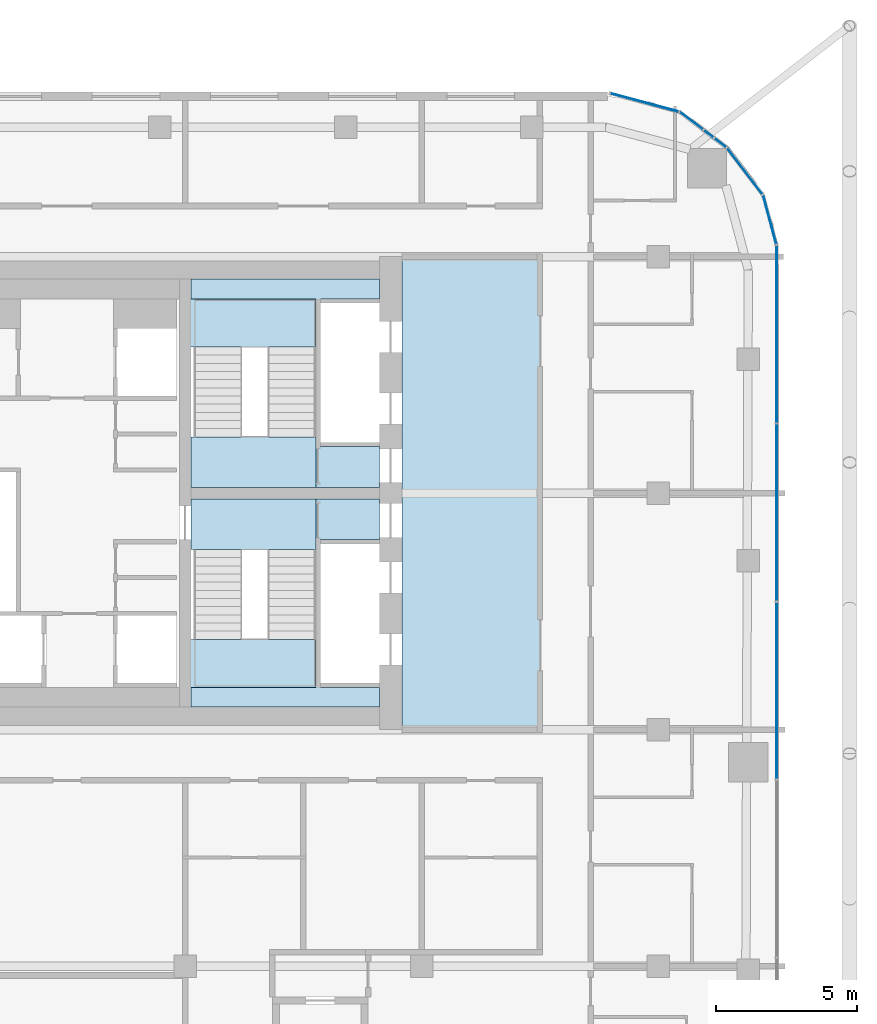
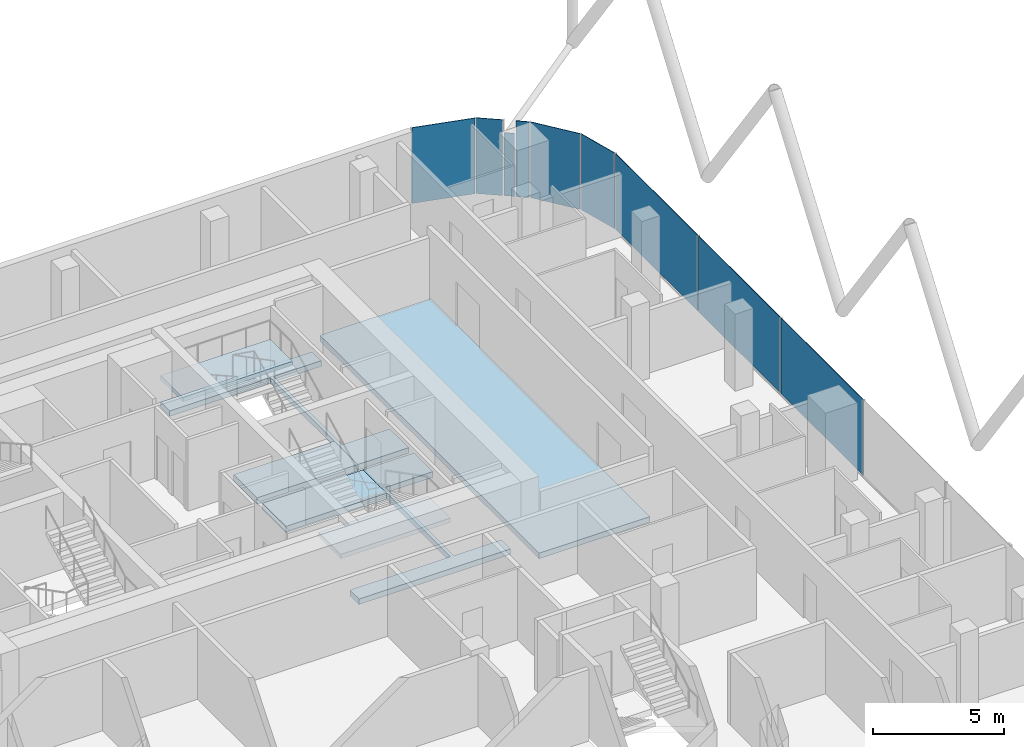
# One storey, part 19 of 28: 9 plates, 7 slabs, 9 elements without a shape of their own.
"""IFC4 building model written with IfcOpenShell, lengths in metres."""

from ifc_helpers import new_model, si_unit, direction, frame, origin, origin_2d, place, context, subcontext, project, spatial, polyline, rectangle, outline, extrude, material, layer, layer_set, type_object, element, aggregate, save


model = new_model("IFC4")

# Units and contexts
model_context = context("Model", 3, precision=1e-05, world=origin(), true_north=direction((0.0, 1.0)))
body_context = subcontext(model_context, "Body", "Model", "MODEL_VIEW")
ifc_project = project(units=[si_unit("LENGTHUNIT", "METRE"), si_unit("AREAUNIT", "SQUARE_METRE"), si_unit("VOLUMEUNIT", "CUBIC_METRE"), si_unit("PLANEANGLEUNIT", "RADIAN"), si_unit("MASSUNIT", "GRAM", prefix="KILO")], contexts=[model_context])

# Site, building, storey
site_placement = place(None, origin())
site = spatial("IfcSite", under=ifc_project, at=site_placement, CompositionType="ELEMENT")
building_placement = place(site_placement, origin())
building = spatial("IfcBuilding", under=site, at=building_placement, Name="Marenta Gate Hotel Tower", CompositionType="ELEMENT")
storey_placement = place(building_placement, frame((0.0, 0.0, 227.300048828125)))
storey = spatial("IfcBuildingStorey", under=building, at=storey_placement, Name="L53", CompositionType="ELEMENT", Elevation=227.300048828125)

# Slabs
ifc_material_1 = material(Name="Concrete C40", Category="concrete")
ifc_layer_1 = layer(ifc_material_1, 0.260009765625)
ifc_layer_set_1 = layer_set([ifc_layer_1], Name="Concrete C40")
slab_type_1 = type_object("IfcSlabType", Name="Core floor slab 260", PredefinedType="FLOOR", material=ifc_layer_set_1)
slab_1_placement = place(storey_placement, frame((0.0, 0.0, -0.260009765625)))
element("IfcSlab", 1, at=slab_1_placement, inside=storey, type_object=slab_type_1, Name="L53-CF-1", PredefinedType="FLOOR", context=body_context, shape_type="SweptSolid", body=[
    extrude(outline(polyline([(11.89990234375, 0.0), (11.89990234375, 16.800048828125), (16.800048828125, 16.800048828125), (16.800048828125, 0.0), (11.89990234375, 0.0)])), origin(), (0.0, 0.0, 1.0), 0.260009765625),
])
slab_2_placement = place(storey_placement, frame((0.0, 0.0, -0.260009765625)))
element("IfcSlab", 2, at=slab_2_placement, inside=storey, type_object=slab_type_1, Name="L53-CF-2", PredefinedType="FLOOR", context=body_context, shape_type="SweptSolid", body=[
    extrude(outline(polyline([(8.85009765625, 1.5), (8.85009765625, 6.39990234375), (8.85009765625, 8.10009765625), (8.85009765625, 8.199951171875), (11.10009765625, 8.199951171875), (11.10009765625, 6.75), (9.0, 6.75), (9.0, 6.60009765625), (9.0, 4.199951171875), (9.0, 4.050048828125), (9.0, 1.64990234375), (9.0, 1.5), (11.10009765625, 1.5), (11.10009765625, 0.800048828125), (4.39990234375, 0.800048828125), (4.39990234375, 1.5), (8.85009765625, 1.5)])), origin(), (0.0, 0.0, 1.0), 0.260009765625),
])
slab_3_placement = place(storey_placement, frame((0.0, 0.0, -0.260009765625)))
element("IfcSlab", 3, at=slab_3_placement, inside=storey, type_object=slab_type_1, Name="L53-CF-3", PredefinedType="FLOOR", context=body_context, shape_type="SweptSolid", body=[
    extrude(outline(polyline([(8.85009765625, 15.300048828125), (4.39990234375, 15.300048828125), (4.39990234375, 16.0), (11.10009765625, 16.0), (11.10009765625, 15.300048828125), (9.0, 15.300048828125), (9.0, 15.14990234375), (9.0, 12.75), (9.0, 12.60009765625), (9.0, 10.199951171875), (9.0, 10.050048828125), (11.10009765625, 10.050048828125), (11.10009765625, 8.60009765625), (8.85009765625, 8.60009765625), (8.85009765625, 8.699951171875), (8.85009765625, 10.39990234375), (8.85009765625, 15.300048828125)])), origin(), (0.0, 0.0, 1.0), 0.260009765625),
])

# Stair, slab
ifc_material_2 = material(Name="Concrete C40", Category="concrete")
stair_type = type_object("IfcStairType", Name="Core exit stair 1700 wide", PredefinedType="HALF_TURN_STAIR", material=ifc_material_2)
stair_1_placement = place(storey_placement, origin())
stair_1 = element("IfcStair", 4, at=stair_1_placement, inside=storey, type_object=stair_type, Name="Exit stair 3", PredefinedType="HALF_TURN_STAIR")
ifc_material_3 = material(Name="Concrete C40", Category="concrete")
ifc_layer_2 = layer(ifc_material_3, 0.199951171875)
ifc_layer_set_2 = layer_set([ifc_layer_2], Name="Concrete C40")
slab_type_2 = type_object("IfcSlabType", Name="Core stair landing 200", PredefinedType="LANDING", material=ifc_layer_set_2)
slab_4_placement = place(storey_placement, frame((0.0, 0.0, 1.599853515625)))
slab_4 = element("IfcSlab", 5, at=slab_4_placement, type_object=slab_type_2, Name="SL-200 ST3 landing 1", PredefinedType="LANDING", context=body_context, shape_type="SweptSolid", body=[
    extrude(outline(polyline([(4.0, 1.5), (8.85009765625, 1.5), (8.85009765625, 3.2099609375), (4.0, 3.2099609375), (4.0, 1.5)])), origin(), (0.0, 0.0, 1.0), 0.2001953125),
])
aggregate(stair_1, [slab_4])

stair_2_placement = place(storey_placement, origin())
stair_2 = element("IfcStair", 6, at=stair_2_placement, inside=storey, type_object=stair_type, Name="Exit stair 4", PredefinedType="HALF_TURN_STAIR")
slab_5_placement = place(storey_placement, frame((0.0, 0.0, 1.599853515625)))
slab_5 = element("IfcSlab", 7, at=slab_5_placement, type_object=slab_type_2, Name="SL-200 ST4 landing 1", PredefinedType="LANDING", context=body_context, shape_type="SweptSolid", body=[
    extrude(outline(polyline([(4.0, 13.590087890625), (8.85009765625, 13.590087890625), (8.85009765625, 15.300048828125), (4.0, 15.300048828125), (4.0, 13.590087890625)])), origin(), (0.0, 0.0, 1.0), 0.2001953125),
])
aggregate(stair_2, [slab_5])

# Curtain wall, plates
ifc_material_4 = material(Name="Tinted insulated glass in bronze anodised frame", Category="glass")
ifc_layer_3 = layer(ifc_material_4, 0.1201171875)
ifc_layer_set_3 = layer_set([ifc_layer_3], Name="Tinted insulated glass in bronze anodised frame")
curtain_wall_type = type_object("IfcCurtainWallType", Name="Tower unitised curtain wall CW1", PredefinedType="NOTDEFINED", material=ifc_layer_set_3)
curtain_wall_1_placement = place(storey_placement, origin())
curtain_wall_1 = element("IfcCurtainWall", 8, at=curtain_wall_1_placement, inside=storey, type_object=curtain_wall_type, Name="CW1 run G19", PredefinedType="NOTDEFINED")
ifc_material_5 = material(Name="Tinted insulated glass", Category="glass")
ifc_layer_4 = layer(ifc_material_5, 0.028076171875)
ifc_layer_set_4 = layer_set([ifc_layer_4], Name="Tinted insulated glass")
plate_type = type_object("IfcPlateType", Name="Glass panel CW1 28 mm tinted insulated unit", PredefinedType="CURTAIN_PANEL", material=ifc_layer_set_4)
plate_1_placement = place(storey_placement, frame((25.214111328125, 1.38525390625, 0.059814453125), z_axis=(0.0, 0.0, 1.0), x_axis=(0.0, 1.0, 0.0)))
plate_1 = element("IfcPlate", 9, at=plate_1_placement, type_object=plate_type, Name="CW1 panel 4.1", PredefinedType="CURTAIN_PANEL", context=body_context, shape_type="SweptSolid", body=[
    extrude(rectangle(XDim=6.2626953125, YDim=0.028076171875, at=origin_2d()), origin(), (0.0, 0.0, 1.0), 3.5400390625),
])
plate_2_placement = place(storey_placement, frame((25.214111328125, 7.7080078125, 0.059814453125), z_axis=(0.0, 0.0, 1.0), x_axis=(0.0, 1.0, 0.0)))
plate_2 = element("IfcPlate", 10, at=plate_2_placement, type_object=plate_type, Name="CW1 panel 5.1", PredefinedType="CURTAIN_PANEL", context=body_context, shape_type="SweptSolid", body=[
    extrude(rectangle(XDim=6.2626953125, YDim=0.028076171875, at=origin_2d()), origin(), (0.0, 0.0, 1.0), 3.5400390625),
])
plate_3_placement = place(storey_placement, frame((25.214111328125, 14.045654296875, 0.059814453125), z_axis=(0.0, 0.0, 1.0), x_axis=(0.0, 1.0, 0.0)))
plate_3 = element("IfcPlate", 11, at=plate_3_placement, type_object=plate_type, Name="CW1 panel 6.1", PredefinedType="CURTAIN_PANEL", context=body_context, shape_type="SweptSolid", body=[
    extrude(rectangle(XDim=6.29248046875, YDim=0.028076171875, at=origin_2d()), origin(), (0.0, 0.0, 1.0), 3.5400390625),
])
aggregate(curtain_wall_1, [plate_1, plate_2, plate_3])

# Curtain wall, plate
curtain_wall_2_placement = place(storey_placement, origin())
curtain_wall_2 = element("IfcCurtainWall", 12, at=curtain_wall_2_placement, inside=storey, type_object=curtain_wall_type, Name="CW1 run G20", PredefinedType="NOTDEFINED")
plate_4_placement = place(storey_placement, frame((24.96630859375, 18.1162109375, 0.059814453125), z_axis=(0.0, 0.0, 1.0), x_axis=(-0.258824166754, 0.965924453932, 0.0)))
plate_4 = element("IfcPlate", 13, at=plate_4_placement, type_object=plate_type, Name="CW1 panel 1.1", PredefinedType="CURTAIN_PANEL", context=body_context, shape_type="SweptSolid", body=[
    extrude(rectangle(XDim=1.793701171875, YDim=0.028076171875, at=origin_2d()), origin(), (0.0, 0.0, 1.0), 3.5400390625),
])
aggregate(curtain_wall_2, [plate_4])

curtain_wall_3_placement = place(storey_placement, origin())
curtain_wall_3 = element("IfcCurtainWall", 14, at=curtain_wall_3_placement, inside=storey, type_object=curtain_wall_type, Name="CW1 run G21", PredefinedType="NOTDEFINED")
plate_5_placement = place(storey_placement, frame((24.0751953125, 19.84130859375, 0.059814453125), z_axis=(0.0, 0.0, 1.0), x_axis=(-0.608787499222, 0.793333335233, 0.0)))
plate_5 = element("IfcPlate", 15, at=plate_5_placement, type_object=plate_type, Name="CW1 panel 1.1", PredefinedType="CURTAIN_PANEL", context=body_context, shape_type="SweptSolid", body=[
    extrude(rectangle(XDim=2.045166015625, YDim=0.028076171875, at=origin_2d()), origin(), (0.0, 0.0, 1.0), 3.5400390625),
])
aggregate(curtain_wall_3, [plate_5])

curtain_wall_4_placement = place(storey_placement, origin())
curtain_wall_4 = element("IfcCurtainWall", 16, at=curtain_wall_4_placement, inside=storey, type_object=curtain_wall_type, Name="CW1 run G22", PredefinedType="NOTDEFINED")
plate_6_placement = place(storey_placement, frame((23.20458984375, 20.843017578125, 0.059814453125), z_axis=(0.0, 0.0, 1.0), x_axis=(-0.793347091368, 0.608769572677, 0.0)))
plate_6 = element("IfcPlate", 17, at=plate_6_placement, type_object=plate_type, Name="CW1 panel 1.1", PredefinedType="CURTAIN_PANEL", context=body_context, shape_type="SweptSolid", body=[
    extrude(rectangle(XDim=0.505126953125, YDim=0.028076171875, at=origin_2d()), origin(), (0.0, 0.0, 1.0), 3.5400390625),
])
aggregate(curtain_wall_4, [plate_6])

curtain_wall_5_placement = place(storey_placement, origin())
curtain_wall_5 = element("IfcCurtainWall", 18, at=curtain_wall_5_placement, inside=storey, type_object=curtain_wall_type, Name="CW1 run G23", PredefinedType="NOTDEFINED")
plate_7_placement = place(storey_placement, frame((22.794677734375, 21.157470703125, 0.06005859375), z_axis=(0.0, 0.0, 1.0), x_axis=(-0.793290143052, 0.608843780404, 0.0)))
plate_7 = element("IfcPlate", 19, at=plate_7_placement, type_object=plate_type, Name="CW1 panel 1.1", PredefinedType="CURTAIN_PANEL", context=body_context, shape_type="SweptSolid", body=[
    extrude(rectangle(XDim=0.408447265625, YDim=0.028076171875, at=origin_2d()), origin(), (0.0, 0.0, 1.0), 2.9404296875),
])
aggregate(curtain_wall_5, [plate_7])

curtain_wall_6_placement = place(storey_placement, origin())
curtain_wall_6 = element("IfcCurtainWall", 20, at=curtain_wall_6_placement, inside=storey, type_object=curtain_wall_type, Name="CW1 run G24", PredefinedType="NOTDEFINED")
plate_8_placement = place(storey_placement, frame((22.183837890625, 21.626220703125, 0.059814453125), z_axis=(0.0, 0.0, 1.0), x_axis=(-0.793344960162, 0.60877235005, 0.0)))
plate_8 = element("IfcPlate", 21, at=plate_8_placement, type_object=plate_type, Name="CW1 panel 1.1", PredefinedType="CURTAIN_PANEL", context=body_context, shape_type="SweptSolid", body=[
    extrude(rectangle(XDim=1.01171875, YDim=0.028076171875, at=origin_2d()), origin(), (0.0, 0.0, 1.0), 3.5400390625),
])
aggregate(curtain_wall_6, [plate_8])

curtain_wall_7_placement = place(storey_placement, origin())
curtain_wall_7 = element("IfcCurtainWall", 22, at=curtain_wall_7_placement, inside=storey, type_object=curtain_wall_type, Name="CW1 run G25", PredefinedType="NOTDEFINED")
plate_9_placement = place(storey_placement, frame((20.51953125, 22.272705078125, 0.059814453125), z_axis=(0.0, 0.0, 1.0), x_axis=(-0.96592961764, 0.258804895175, 0.0)))
plate_9 = element("IfcPlate", 23, at=plate_9_placement, type_object=plate_type, Name="CW1 panel 1.1", PredefinedType="CURTAIN_PANEL", context=body_context, shape_type="SweptSolid", body=[
    extrude(rectangle(XDim=2.4951171875, YDim=0.028076171875, at=origin_2d()), origin(), (0.0, 0.0, 1.0), 3.5400390625),
])
aggregate(curtain_wall_7, [plate_9])

# Slabs
ifc_material_6 = material(Name="Concrete C40", Category="concrete")
ifc_layer_5 = layer(ifc_material_6, 0.300048828125)
ifc_layer_set_5 = layer_set([ifc_layer_5], Name="Concrete C40")
slab_type_3 = type_object("IfcSlabType", Name="Stair floor landing slab 300", PredefinedType="FLOOR", material=ifc_layer_set_5)
slab_6_placement = place(storey_placement, frame((0.0, 0.0, -0.300048828125)))
element("IfcSlab", 24, at=slab_6_placement, inside=storey, type_object=slab_type_3, Name="L53-CL-ST3-1", PredefinedType="FLOOR", context=body_context, shape_type="SweptSolid", body=[
    extrude(outline(polyline([(4.39990234375, 6.39990234375), (4.39990234375, 8.199951171875), (8.85009765625, 8.199951171875), (8.85009765625, 8.10009765625), (8.85009765625, 6.39990234375), (4.39990234375, 6.39990234375)])), origin(), (0.0, 0.0, 1.0), 0.300048828125),
])
slab_7_placement = place(storey_placement, frame((0.0, 0.0, -0.300048828125)))
element("IfcSlab", 25, at=slab_7_placement, inside=storey, type_object=slab_type_3, Name="L53-CL-ST4-1", PredefinedType="FLOOR", context=body_context, shape_type="SweptSolid", body=[
    extrude(outline(polyline([(4.39990234375, 8.60009765625), (4.39990234375, 10.39990234375), (8.85009765625, 10.39990234375), (8.85009765625, 8.699951171875), (8.85009765625, 8.60009765625), (4.39990234375, 8.60009765625)])), origin(), (0.0, 0.0, 1.0), 0.300048828125),
])

save(model, "model.ifc")
